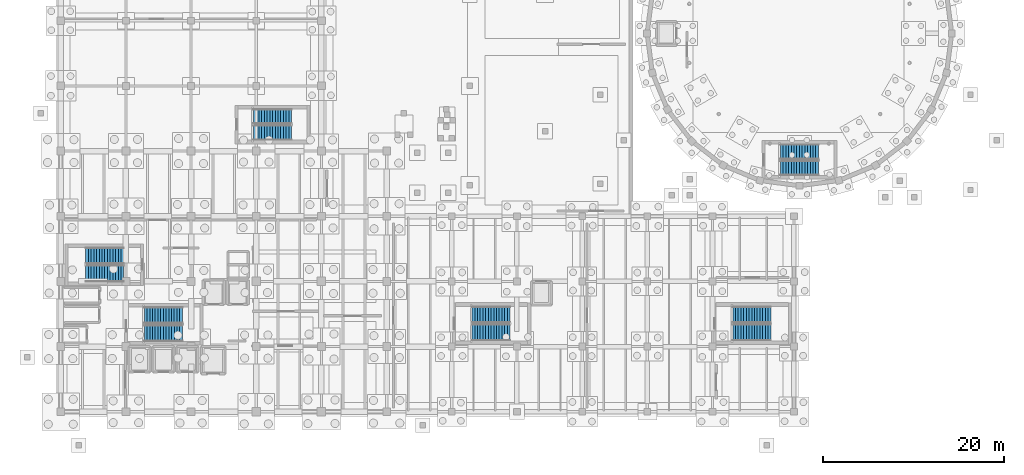
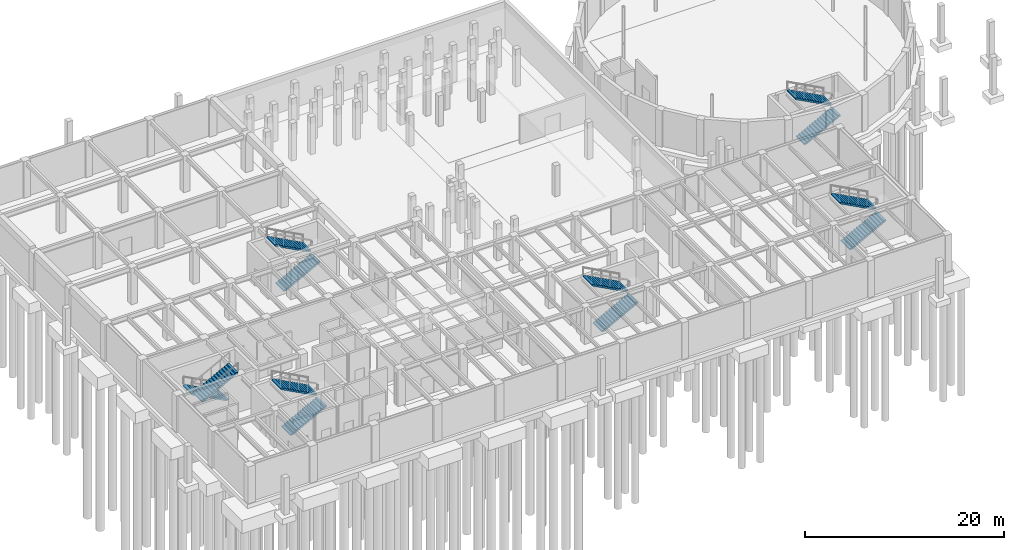
# One storey, part 17 of 26: 12 stair flights, 6 elements without a shape of their own.
"""IFC4 building model written with IfcOpenShell, lengths in metres."""

from ifc_helpers import new_model, si_unit, direction, frame, origin, place, context, subcontext, project, spatial, polyline, outline, extrude, material, layer, layer_set, type_object, element, aggregate, save


model = new_model("IFC4")

# Units and contexts
model_context = context("Model", 3, precision=1e-05, world=origin(), true_north=direction((0.0, 1.0)))
body_context = subcontext(model_context, "Body", "Model", "MODEL_VIEW")
ifc_project = project(units=[si_unit("LENGTHUNIT", "METRE"), si_unit("AREAUNIT", "SQUARE_METRE"), si_unit("VOLUMEUNIT", "CUBIC_METRE"), si_unit("PLANEANGLEUNIT", "RADIAN"), si_unit("MASSUNIT", "GRAM", prefix="KILO")], contexts=[model_context])

# Site, building, storey
site_placement = place(None, origin())
site = spatial("IfcSite", under=ifc_project, at=site_placement, CompositionType="ELEMENT")
building_placement = place(site_placement, origin())
building = spatial("IfcBuilding", under=site, at=building_placement, Name="Kandorven Conservatory and Botanical Research Centre", CompositionType="ELEMENT")
storey_placement = place(building_placement, frame((0.0, 0.0, -4.800048828125)))
storey = spatial("IfcBuildingStorey", under=building, at=storey_placement, Name="B01", CompositionType="ELEMENT", Elevation=-4.800048828125)

# Stair, stair flights
ifc_material_1 = material(Name="Concrete C32/40 (M40)", Category="concrete")
stair_type_1 = type_object("IfcStairType", Name="Stair_1650", PredefinedType="HALF_TURN_STAIR", material=ifc_material_1)
stair_1_placement = place(storey_placement, origin())
stair_1 = element("IfcStair", 1, at=stair_1_placement, inside=storey, type_object=stair_type_1, Name="B01 Conservatory Canopy Stair ST-V1", PredefinedType="HALF_TURN_STAIR")
ifc_material_2 = material(Name="Concrete C32/40 (M40)", Category="concrete")
ifc_layer_1 = layer(ifc_material_2, 0.14990234375)
ifc_layer_set_1 = layer_set([ifc_layer_1], Name="Concrete C32/40 (M40)")
stair_flight_type_1 = type_object("IfcStairFlightType", Name="Flight_1650", PredefinedType="STRAIGHT", material=ifc_layer_set_1)
stair_flight_1_placement = place(storey_placement, frame((85.5, 32.925048828125, 0.0), z_axis=(0.0, 0.0, 1.0), x_axis=(1.0, 0.0, 0.0)))
stair_flight_1 = element("IfcStairFlight", 2, at=stair_flight_1_placement, type_object=stair_flight_type_1, Name="ST-V1 flight 1", NumberOfRisers=15, NumberOfTreads=14, PredefinedType="STRAIGHT", RiserHeight=0.16, TreadLength=0.3, context=body_context, shape_type="SweptSolid", body=[
    extrude(outline(polyline([(0.0, 0.0), (0.0, 0.159912109375), (0.300048828125, 0.159912109375), (0.300048828125, 0.320068359375), (0.60009765625, 0.320068359375), (0.60009765625, 0.47998046875), (0.89990234375, 0.47998046875), (0.89990234375, 0.639892578125), (1.199951171875, 0.639892578125), (1.199951171875, 0.800048828125), (1.5, 0.800048828125), (1.5, 0.9599609375), (1.800048828125, 0.9599609375), (1.800048828125, 1.1201171875), (2.10009765625, 1.1201171875), (2.10009765625, 1.280029296875), (2.39990234375, 1.280029296875), (2.39990234375, 1.43994140625), (2.699951171875, 1.43994140625), (2.699951171875, 1.60009765625), (3.0, 1.60009765625), (3.0, 1.760009765625), (3.300048828125, 1.760009765625), (3.300048828125, 1.919921875), (3.60009765625, 1.919921875), (3.60009765625, 2.080078125), (3.89990234375, 2.080078125), (3.89990234375, 2.239990234375), (4.199951171875, 2.239990234375), (4.199951171875, 2.39990234375), (4.199951171875, 2.070068359375), (0.318603515625, 0.0), (0.0, 0.0)])), frame((0.0, 0.824951171875, 0.0), z_axis=(0.0, -1.0, 0.0), x_axis=(1.0, 0.0, 0.0)), (0.0, 0.0, 1.0), 1.64990234375),
])
stair_flight_2_placement = place(storey_placement, frame((89.699462890625, 34.72509765625, 2.400146484375), z_axis=(0.0, 0.0, 1.0), x_axis=(-1.0, 0.0, 0.0)))
stair_flight_2 = element("IfcStairFlight", 3, at=stair_flight_2_placement, type_object=stair_flight_type_1, Name="ST-V1 flight 2", NumberOfRisers=15, NumberOfTreads=14, PredefinedType="STRAIGHT", RiserHeight=0.16, TreadLength=0.3, context=body_context, shape_type="SweptSolid", body=[
    extrude(outline(polyline([(0.0, 0.0), (0.0, 0.159912109375), (0.300048828125, 0.159912109375), (0.300048828125, 0.320068359375), (0.60009765625, 0.320068359375), (0.60009765625, 0.47998046875), (0.89990234375, 0.47998046875), (0.89990234375, 0.639892578125), (1.199951171875, 0.639892578125), (1.199951171875, 0.800048828125), (1.5, 0.800048828125), (1.5, 0.9599609375), (1.800048828125, 0.9599609375), (1.800048828125, 1.1201171875), (2.10009765625, 1.1201171875), (2.10009765625, 1.280029296875), (2.39990234375, 1.280029296875), (2.39990234375, 1.43994140625), (2.699951171875, 1.43994140625), (2.699951171875, 1.60009765625), (3.0, 1.60009765625), (3.0, 1.760009765625), (3.300048828125, 1.760009765625), (3.300048828125, 1.919921875), (3.60009765625, 1.919921875), (3.60009765625, 2.080078125), (3.89990234375, 2.080078125), (3.89990234375, 2.239990234375), (4.199951171875, 2.239990234375), (4.199951171875, 2.39990234375), (4.199951171875, 2.070068359375), (0.318603515625, 0.0), (0.0, 0.0)])), frame((0.0, 0.824951171875, 0.0), z_axis=(0.0, -1.0, 0.0), x_axis=(1.0, 0.0, 0.0)), (0.0, 0.0, 1.0), 1.64990234375),
])
aggregate(stair_1, [stair_flight_1, stair_flight_2])

stair_2_placement = place(storey_placement, origin())
stair_2 = element("IfcStair", 4, at=stair_2_placement, inside=storey, type_object=stair_type_1, Name="B01 Auditorium Gallery Stair ST-V2", PredefinedType="HALF_TURN_STAIR")
stair_flight_3_placement = place(storey_placement, frame((27.300048828125, 36.824951171875, 0.0), z_axis=(0.0, 0.0, 1.0), x_axis=(1.0, 0.0, 0.0)))
stair_flight_3 = element("IfcStairFlight", 5, at=stair_flight_3_placement, type_object=stair_flight_type_1, Name="ST-V2 flight 1", NumberOfRisers=15, NumberOfTreads=14, PredefinedType="STRAIGHT", RiserHeight=0.16, TreadLength=0.3, context=body_context, shape_type="SweptSolid", body=[
    extrude(outline(polyline([(0.0, 0.0), (0.0, 0.159912109375), (0.300048828125, 0.159912109375), (0.300048828125, 0.320068359375), (0.60009765625, 0.320068359375), (0.60009765625, 0.47998046875), (0.89990234375, 0.47998046875), (0.89990234375, 0.639892578125), (1.199951171875, 0.639892578125), (1.199951171875, 0.800048828125), (1.5, 0.800048828125), (1.5, 0.9599609375), (1.800048828125, 0.9599609375), (1.800048828125, 1.1201171875), (2.10009765625, 1.1201171875), (2.10009765625, 1.280029296875), (2.39990234375, 1.280029296875), (2.39990234375, 1.43994140625), (2.699951171875, 1.43994140625), (2.699951171875, 1.60009765625), (3.0, 1.60009765625), (3.0, 1.760009765625), (3.300048828125, 1.760009765625), (3.300048828125, 1.919921875), (3.60009765625, 1.919921875), (3.60009765625, 2.080078125), (3.89990234375, 2.080078125), (3.89990234375, 2.239990234375), (4.199951171875, 2.239990234375), (4.199951171875, 2.39990234375), (4.199951171875, 2.070068359375), (0.318603515625, 0.0), (0.0, 0.0)])), frame((0.0, 0.824951171875, 0.0), z_axis=(0.0, -1.0, 0.0), x_axis=(1.0, 0.0, 0.0)), (0.0, 0.0, 1.0), 1.64990234375),
])
stair_flight_4_placement = place(storey_placement, frame((31.49951171875, 38.625, 2.400146484375), z_axis=(0.0, 0.0, 1.0), x_axis=(-1.0, 0.0, 0.0)))
stair_flight_4 = element("IfcStairFlight", 6, at=stair_flight_4_placement, type_object=stair_flight_type_1, Name="ST-V2 flight 2", NumberOfRisers=15, NumberOfTreads=14, PredefinedType="STRAIGHT", RiserHeight=0.16, TreadLength=0.3, context=body_context, shape_type="SweptSolid", body=[
    extrude(outline(polyline([(0.0, 0.0), (0.0, 0.159912109375), (0.300048828125, 0.159912109375), (0.300048828125, 0.320068359375), (0.60009765625, 0.320068359375), (0.60009765625, 0.47998046875), (0.89990234375, 0.47998046875), (0.89990234375, 0.639892578125), (1.199951171875, 0.639892578125), (1.199951171875, 0.800048828125), (1.5, 0.800048828125), (1.5, 0.9599609375), (1.800048828125, 0.9599609375), (1.800048828125, 1.1201171875), (2.10009765625, 1.1201171875), (2.10009765625, 1.280029296875), (2.39990234375, 1.280029296875), (2.39990234375, 1.43994140625), (2.699951171875, 1.43994140625), (2.699951171875, 1.60009765625), (3.0, 1.60009765625), (3.0, 1.760009765625), (3.300048828125, 1.760009765625), (3.300048828125, 1.919921875), (3.60009765625, 1.919921875), (3.60009765625, 2.080078125), (3.89990234375, 2.080078125), (3.89990234375, 2.239990234375), (4.199951171875, 2.239990234375), (4.199951171875, 2.39990234375), (4.199951171875, 2.070068359375), (0.318603515625, 0.0), (0.0, 0.0)])), frame((0.0, 0.824951171875, 0.0), z_axis=(0.0, -1.0, 0.0), x_axis=(1.0, 0.0, 0.0)), (0.0, 0.0, 1.0), 1.64990234375),
])
aggregate(stair_2, [stair_flight_3, stair_flight_4])

ifc_material_3 = material(Name="Concrete C32/40 (M40)", Category="concrete")
stair_type_2 = type_object("IfcStairType", Name="Stair_1820", PredefinedType="HALF_TURN_STAIR", material=ifc_material_3)
stair_3_placement = place(storey_placement, origin())
stair_3 = element("IfcStair", 7, at=stair_3_placement, inside=storey, type_object=stair_type_2, Name="B01 Tower Fire Stair ST-T1", PredefinedType="HALF_TURN_STAIR")
ifc_material_4 = material(Name="Concrete C32/40 (M40)", Category="concrete")
ifc_layer_2 = layer(ifc_material_4, 0.14990234375)
ifc_layer_set_2 = layer_set([ifc_layer_2], Name="Concrete C32/40 (M40)")
stair_flight_type_2 = type_object("IfcStairFlightType", Name="Flight_1820", PredefinedType="STRAIGHT", material=ifc_layer_set_2)
stair_flight_5_placement = place(storey_placement, frame((15.239990234375, 14.68994140625, 0.0), z_axis=(0.0, 0.0, 1.0), x_axis=(1.0, 0.0, 0.0)))
stair_flight_5 = element("IfcStairFlight", 8, at=stair_flight_5_placement, type_object=stair_flight_type_2, Name="ST-T1 flight 1", NumberOfRisers=15, NumberOfTreads=14, PredefinedType="STRAIGHT", RiserHeight=0.16, TreadLength=0.3, context=body_context, shape_type="SweptSolid", body=[
    extrude(outline(polyline([(0.0, 0.0), (0.0, 0.159912109375), (0.300048828125, 0.159912109375), (0.300048828125, 0.320068359375), (0.60009765625, 0.320068359375), (0.60009765625, 0.47998046875), (0.89990234375, 0.47998046875), (0.89990234375, 0.639892578125), (1.199951171875, 0.639892578125), (1.199951171875, 0.800048828125), (1.5, 0.800048828125), (1.5, 0.9599609375), (1.800048828125, 0.9599609375), (1.800048828125, 1.1201171875), (2.10009765625, 1.1201171875), (2.10009765625, 1.280029296875), (2.39990234375, 1.280029296875), (2.39990234375, 1.43994140625), (2.699951171875, 1.43994140625), (2.699951171875, 1.60009765625), (3.0, 1.60009765625), (3.0, 1.760009765625), (3.300048828125, 1.760009765625), (3.300048828125, 1.919921875), (3.60009765625, 1.919921875), (3.60009765625, 2.080078125), (3.89990234375, 2.080078125), (3.89990234375, 2.239990234375), (4.199951171875, 2.239990234375), (4.199951171875, 2.39990234375), (4.199951171875, 2.070068359375), (0.318603515625, 0.0), (0.0, 0.0)])), frame((0.0, 0.91015625, 0.0), z_axis=(0.0, -1.0, 0.0), x_axis=(1.0, 0.0, 0.0)), (0.0, 0.0, 1.0), 1.820068359375),
])
stair_flight_6_placement = place(storey_placement, frame((19.439453125, 16.659912109375, 2.400146484375), z_axis=(0.0, 0.0, 1.0), x_axis=(-1.0, 0.0, 0.0)))
stair_flight_6 = element("IfcStairFlight", 9, at=stair_flight_6_placement, type_object=stair_flight_type_2, Name="ST-T1 flight 2", NumberOfRisers=15, NumberOfTreads=14, PredefinedType="STRAIGHT", RiserHeight=0.16, TreadLength=0.3, context=body_context, shape_type="SweptSolid", body=[
    extrude(outline(polyline([(0.0, 0.0), (0.0, 0.159912109375), (0.300048828125, 0.159912109375), (0.300048828125, 0.320068359375), (0.60009765625, 0.320068359375), (0.60009765625, 0.47998046875), (0.89990234375, 0.47998046875), (0.89990234375, 0.639892578125), (1.199951171875, 0.639892578125), (1.199951171875, 0.800048828125), (1.5, 0.800048828125), (1.5, 0.9599609375), (1.800048828125, 0.9599609375), (1.800048828125, 1.1201171875), (2.10009765625, 1.1201171875), (2.10009765625, 1.280029296875), (2.39990234375, 1.280029296875), (2.39990234375, 1.43994140625), (2.699951171875, 1.43994140625), (2.699951171875, 1.60009765625), (3.0, 1.60009765625), (3.0, 1.760009765625), (3.300048828125, 1.760009765625), (3.300048828125, 1.919921875), (3.60009765625, 1.919921875), (3.60009765625, 2.080078125), (3.89990234375, 2.080078125), (3.89990234375, 2.239990234375), (4.199951171875, 2.239990234375), (4.199951171875, 2.39990234375), (4.199951171875, 2.070068359375), (0.318603515625, 0.0), (0.0, 0.0)])), frame((0.0, 0.91015625, 0.0), z_axis=(0.0, -1.0, 0.0), x_axis=(1.0, 0.0, 0.0)), (0.0, 0.0, 1.0), 1.820068359375),
])
aggregate(stair_3, [stair_flight_5, stair_flight_6])

stair_4_placement = place(storey_placement, origin())
stair_4 = element("IfcStair", 10, at=stair_4_placement, inside=storey, type_object=stair_type_2, Name="B01 Tower Fire Stair ST-T2", PredefinedType="HALF_TURN_STAIR")
stair_flight_7_placement = place(storey_placement, frame((12.9599609375, 23.239990234375, 0.0), z_axis=(0.0, 0.0, 1.0), x_axis=(-1.0, 0.0, 0.0)))
stair_flight_7 = element("IfcStairFlight", 11, at=stair_flight_7_placement, type_object=stair_flight_type_2, Name="ST-T2 flight 1", NumberOfRisers=15, NumberOfTreads=14, PredefinedType="STRAIGHT", RiserHeight=0.16, TreadLength=0.3, context=body_context, shape_type="SweptSolid", body=[
    extrude(outline(polyline([(0.0, 0.0), (0.0, 0.159912109375), (0.300048828125, 0.159912109375), (0.300048828125, 0.320068359375), (0.60009765625, 0.320068359375), (0.60009765625, 0.47998046875), (0.89990234375, 0.47998046875), (0.89990234375, 0.639892578125), (1.199951171875, 0.639892578125), (1.199951171875, 0.800048828125), (1.5, 0.800048828125), (1.5, 0.9599609375), (1.800048828125, 0.9599609375), (1.800048828125, 1.1201171875), (2.10009765625, 1.1201171875), (2.10009765625, 1.280029296875), (2.39990234375, 1.280029296875), (2.39990234375, 1.43994140625), (2.699951171875, 1.43994140625), (2.699951171875, 1.60009765625), (3.0, 1.60009765625), (3.0, 1.760009765625), (3.300048828125, 1.760009765625), (3.300048828125, 1.919921875), (3.60009765625, 1.919921875), (3.60009765625, 2.080078125), (3.89990234375, 2.080078125), (3.89990234375, 2.239990234375), (4.199951171875, 2.239990234375), (4.199951171875, 2.39990234375), (4.199951171875, 2.070068359375), (0.318603515625, 0.0), (0.0, 0.0)])), frame((0.0, 0.91015625, 0.0), z_axis=(0.0, -1.0, 0.0), x_axis=(1.0, 0.0, 0.0)), (0.0, 0.0, 1.0), 1.820068359375),
])
stair_flight_8_placement = place(storey_placement, frame((8.760498046875, 21.27001953125, 2.400146484375), z_axis=(0.0, 0.0, 1.0), x_axis=(1.0, 0.0, 0.0)))
stair_flight_8 = element("IfcStairFlight", 12, at=stair_flight_8_placement, type_object=stair_flight_type_2, Name="ST-T2 flight 2", NumberOfRisers=15, NumberOfTreads=14, PredefinedType="STRAIGHT", RiserHeight=0.16, TreadLength=0.3, context=body_context, shape_type="SweptSolid", body=[
    extrude(outline(polyline([(0.0, 0.0), (0.0, 0.159912109375), (0.300048828125, 0.159912109375), (0.300048828125, 0.320068359375), (0.60009765625, 0.320068359375), (0.60009765625, 0.47998046875), (0.89990234375, 0.47998046875), (0.89990234375, 0.639892578125), (1.199951171875, 0.639892578125), (1.199951171875, 0.800048828125), (1.5, 0.800048828125), (1.5, 0.9599609375), (1.800048828125, 0.9599609375), (1.800048828125, 1.1201171875), (2.10009765625, 1.1201171875), (2.10009765625, 1.280029296875), (2.39990234375, 1.280029296875), (2.39990234375, 1.43994140625), (2.699951171875, 1.43994140625), (2.699951171875, 1.60009765625), (3.0, 1.60009765625), (3.0, 1.760009765625), (3.300048828125, 1.760009765625), (3.300048828125, 1.919921875), (3.60009765625, 1.919921875), (3.60009765625, 2.080078125), (3.89990234375, 2.080078125), (3.89990234375, 2.239990234375), (4.199951171875, 2.239990234375), (4.199951171875, 2.39990234375), (4.199951171875, 2.070068359375), (0.318603515625, 0.0), (0.0, 0.0)])), frame((0.0, 0.91015625, 0.0), z_axis=(0.0, -1.0, 0.0), x_axis=(1.0, 0.0, 0.0)), (0.0, 0.0, 1.0), 1.820068359375),
])
aggregate(stair_4, [stair_flight_7, stair_flight_8])

stair_5_placement = place(storey_placement, origin())
stair_5 = element("IfcStair", 13, at=stair_5_placement, inside=storey, type_object=stair_type_2, Name="B01 Visitor Wing Stair ST-V3A", PredefinedType="HALF_TURN_STAIR")
stair_flight_9_placement = place(storey_placement, frame((51.43994140625, 14.760009765625, 0.0), z_axis=(0.0, 0.0, 1.0), x_axis=(1.0, 0.0, 0.0)))
stair_flight_9 = element("IfcStairFlight", 14, at=stair_flight_9_placement, type_object=stair_flight_type_2, Name="ST-V3A flight 1", NumberOfRisers=15, NumberOfTreads=14, PredefinedType="STRAIGHT", RiserHeight=0.16, TreadLength=0.3, context=body_context, shape_type="SweptSolid", body=[
    extrude(outline(polyline([(0.0, 0.0), (0.0, 0.159912109375), (0.300048828125, 0.159912109375), (0.300048828125, 0.320068359375), (0.60009765625, 0.320068359375), (0.60009765625, 0.47998046875), (0.89990234375, 0.47998046875), (0.89990234375, 0.639892578125), (1.199951171875, 0.639892578125), (1.199951171875, 0.800048828125), (1.5, 0.800048828125), (1.5, 0.9599609375), (1.800048828125, 0.9599609375), (1.800048828125, 1.1201171875), (2.10009765625, 1.1201171875), (2.10009765625, 1.280029296875), (2.39990234375, 1.280029296875), (2.39990234375, 1.43994140625), (2.699951171875, 1.43994140625), (2.699951171875, 1.60009765625), (3.0, 1.60009765625), (3.0, 1.760009765625), (3.300048828125, 1.760009765625), (3.300048828125, 1.919921875), (3.60009765625, 1.919921875), (3.60009765625, 2.080078125), (3.89990234375, 2.080078125), (3.89990234375, 2.239990234375), (4.199951171875, 2.239990234375), (4.199951171875, 2.39990234375), (4.199951171875, 2.070068359375), (0.318603515625, 0.0), (0.0, 0.0)])), frame((0.0, 0.91015625, 0.0), z_axis=(0.0, -1.0, 0.0), x_axis=(1.0, 0.0, 0.0)), (0.0, 0.0, 1.0), 1.820068359375),
])
stair_flight_10_placement = place(storey_placement, frame((55.639404296875, 16.72998046875, 2.400146484375), z_axis=(0.0, 0.0, 1.0), x_axis=(-1.0, 0.0, 0.0)))
stair_flight_10 = element("IfcStairFlight", 15, at=stair_flight_10_placement, type_object=stair_flight_type_2, Name="ST-V3A flight 2", NumberOfRisers=15, NumberOfTreads=14, PredefinedType="STRAIGHT", RiserHeight=0.16, TreadLength=0.3, context=body_context, shape_type="SweptSolid", body=[
    extrude(outline(polyline([(0.0, 0.0), (0.0, 0.159912109375), (0.300048828125, 0.159912109375), (0.300048828125, 0.320068359375), (0.60009765625, 0.320068359375), (0.60009765625, 0.47998046875), (0.89990234375, 0.47998046875), (0.89990234375, 0.639892578125), (1.199951171875, 0.639892578125), (1.199951171875, 0.800048828125), (1.5, 0.800048828125), (1.5, 0.9599609375), (1.800048828125, 0.9599609375), (1.800048828125, 1.1201171875), (2.10009765625, 1.1201171875), (2.10009765625, 1.280029296875), (2.39990234375, 1.280029296875), (2.39990234375, 1.43994140625), (2.699951171875, 1.43994140625), (2.699951171875, 1.60009765625), (3.0, 1.60009765625), (3.0, 1.760009765625), (3.300048828125, 1.760009765625), (3.300048828125, 1.919921875), (3.60009765625, 1.919921875), (3.60009765625, 2.080078125), (3.89990234375, 2.080078125), (3.89990234375, 2.239990234375), (4.199951171875, 2.239990234375), (4.199951171875, 2.39990234375), (4.199951171875, 2.070068359375), (0.318603515625, 0.0), (0.0, 0.0)])), frame((0.0, 0.91015625, 0.0), z_axis=(0.0, -1.0, 0.0), x_axis=(1.0, 0.0, 0.0)), (0.0, 0.0, 1.0), 1.820068359375),
])
aggregate(stair_5, [stair_flight_9, stair_flight_10])

stair_6_placement = place(storey_placement, origin())
stair_6 = element("IfcStair", 16, at=stair_6_placement, inside=storey, type_object=stair_type_2, Name="B01 Visitor Wing Stair ST-V3B", PredefinedType="HALF_TURN_STAIR")
stair_flight_11_placement = place(storey_placement, frame((80.239990234375, 14.760009765625, 0.0), z_axis=(0.0, 0.0, 1.0), x_axis=(1.0, 0.0, 0.0)))
stair_flight_11 = element("IfcStairFlight", 17, at=stair_flight_11_placement, type_object=stair_flight_type_2, Name="ST-V3B flight 1", NumberOfRisers=15, NumberOfTreads=14, PredefinedType="STRAIGHT", RiserHeight=0.16, TreadLength=0.3, context=body_context, shape_type="SweptSolid", body=[
    extrude(outline(polyline([(0.0, 0.0), (0.0, 0.159912109375), (0.300048828125, 0.159912109375), (0.300048828125, 0.320068359375), (0.60009765625, 0.320068359375), (0.60009765625, 0.47998046875), (0.89990234375, 0.47998046875), (0.89990234375, 0.639892578125), (1.199951171875, 0.639892578125), (1.199951171875, 0.800048828125), (1.5, 0.800048828125), (1.5, 0.9599609375), (1.800048828125, 0.9599609375), (1.800048828125, 1.1201171875), (2.10009765625, 1.1201171875), (2.10009765625, 1.280029296875), (2.39990234375, 1.280029296875), (2.39990234375, 1.43994140625), (2.699951171875, 1.43994140625), (2.699951171875, 1.60009765625), (3.0, 1.60009765625), (3.0, 1.760009765625), (3.300048828125, 1.760009765625), (3.300048828125, 1.919921875), (3.60009765625, 1.919921875), (3.60009765625, 2.080078125), (3.89990234375, 2.080078125), (3.89990234375, 2.239990234375), (4.199951171875, 2.239990234375), (4.199951171875, 2.39990234375), (4.199951171875, 2.070068359375), (0.318603515625, 0.0), (0.0, 0.0)])), frame((0.0, 0.91015625, 0.0), z_axis=(0.0, -1.0, 0.0), x_axis=(1.0, 0.0, 0.0)), (0.0, 0.0, 1.0), 1.820068359375),
])
stair_flight_12_placement = place(storey_placement, frame((84.439453125, 16.72998046875, 2.400146484375), z_axis=(0.0, 0.0, 1.0), x_axis=(-1.0, 0.0, 0.0)))
stair_flight_12 = element("IfcStairFlight", 18, at=stair_flight_12_placement, type_object=stair_flight_type_2, Name="ST-V3B flight 2", NumberOfRisers=15, NumberOfTreads=14, PredefinedType="STRAIGHT", RiserHeight=0.16, TreadLength=0.3, context=body_context, shape_type="SweptSolid", body=[
    extrude(outline(polyline([(0.0, 0.0), (0.0, 0.159912109375), (0.300048828125, 0.159912109375), (0.300048828125, 0.320068359375), (0.60009765625, 0.320068359375), (0.60009765625, 0.47998046875), (0.89990234375, 0.47998046875), (0.89990234375, 0.639892578125), (1.199951171875, 0.639892578125), (1.199951171875, 0.800048828125), (1.5, 0.800048828125), (1.5, 0.9599609375), (1.800048828125, 0.9599609375), (1.800048828125, 1.1201171875), (2.10009765625, 1.1201171875), (2.10009765625, 1.280029296875), (2.39990234375, 1.280029296875), (2.39990234375, 1.43994140625), (2.699951171875, 1.43994140625), (2.699951171875, 1.60009765625), (3.0, 1.60009765625), (3.0, 1.760009765625), (3.300048828125, 1.760009765625), (3.300048828125, 1.919921875), (3.60009765625, 1.919921875), (3.60009765625, 2.080078125), (3.89990234375, 2.080078125), (3.89990234375, 2.239990234375), (4.199951171875, 2.239990234375), (4.199951171875, 2.39990234375), (4.199951171875, 2.070068359375), (0.318603515625, 0.0), (0.0, 0.0)])), frame((0.0, 0.91015625, 0.0), z_axis=(0.0, -1.0, 0.0), x_axis=(1.0, 0.0, 0.0)), (0.0, 0.0, 1.0), 1.820068359375),
])
aggregate(stair_6, [stair_flight_11, stair_flight_12])

save(model, "model.ifc")
